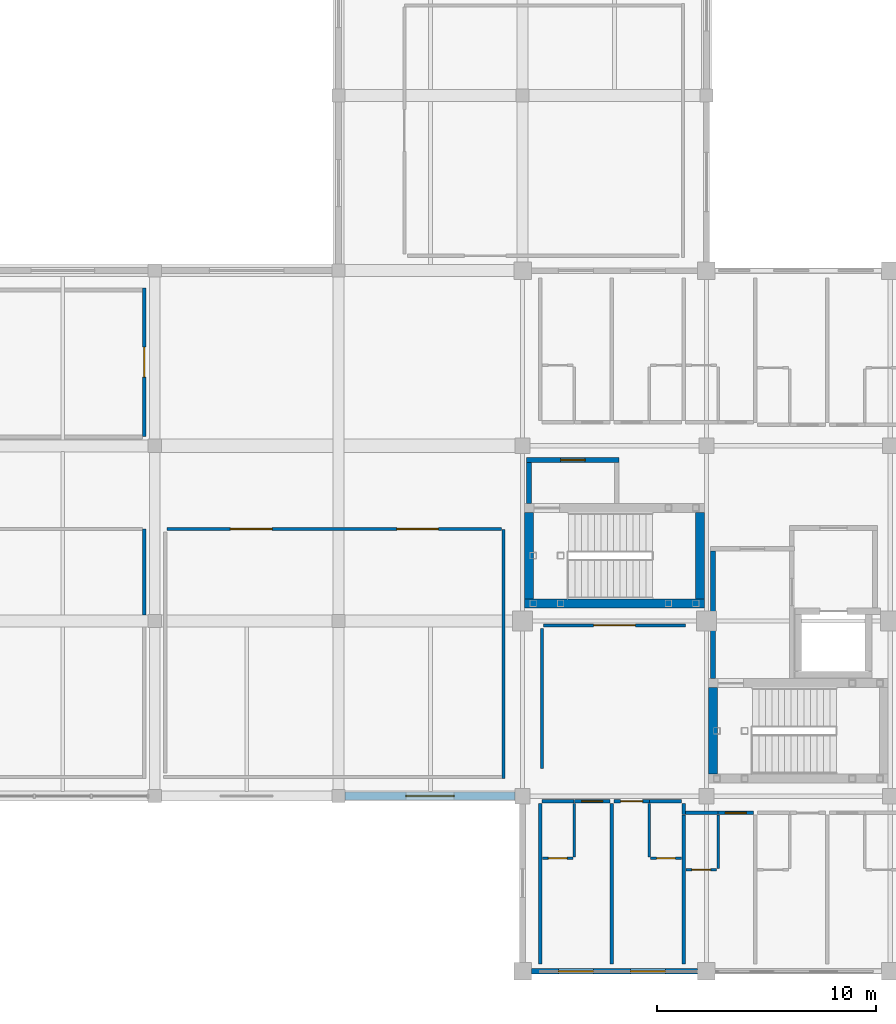
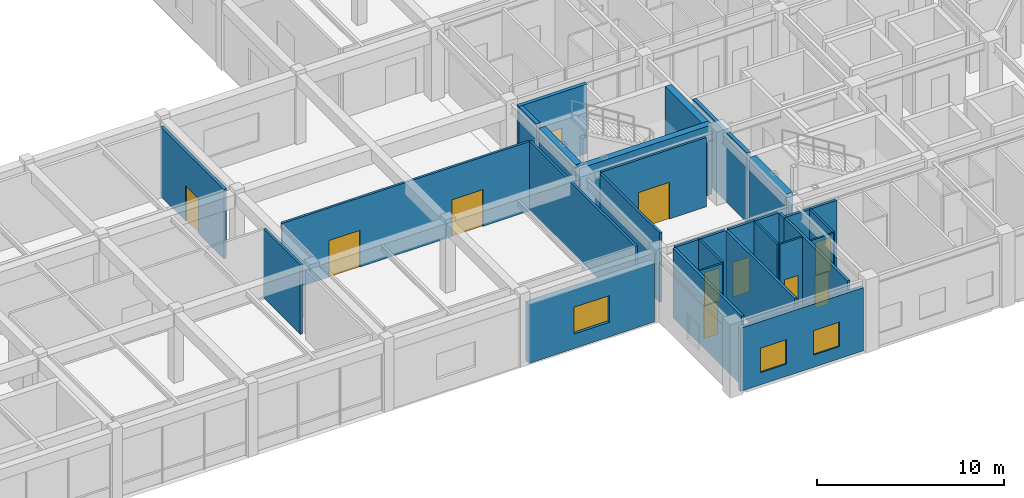
# One storey, part 21 of 37: 31 walls, 11 doors, 3 windows, 14 openings.
"""IFC4 building model written with IfcOpenShell, lengths in metres."""

import ifcopenshell
import ifcopenshell.guid

model = None  # the IFC model being written
_history = None  # IfcOwnerHistory: only IFC2X3 demands one
_inside = {}  # id of a spatial element -> (the spatial element, [elements in it])
_under = {}  # id of a project, library or spatial element -> (it, [spatial elements below it])
_declared = {}  # id of a project -> (the project, [libraries it declares])
_typed = {}  # id of a type object -> (the type object, [elements of that type])
_made_of = {}  # id of a material, layer set ... -> (it, [elements and type objects made of it])


def new_model(schema):
    """Start an empty IFC model of exactly this schema.

    Asked for "IFC4X3", IfcOpenShell would pick the latest addendum, in which some entities
    have other attributes; the version numbers below select the first issue.
    IFC2X3 requires an IfcOwnerHistory on every rooted entity: one is made here for all.
    """
    global model, _history
    if schema == "IFC4X3":
        model = ifcopenshell.file(schema_version=(4, 3, 0, 0))
    else:
        model = ifcopenshell.file(schema=schema)
    _inside.clear()
    _under.clear()
    _declared.clear()
    _typed.clear()
    _made_of.clear()
    _history = None
    if model.schema == "IFC2X3":
        org = make("IfcOrganization", Name="unknown")
        user = make(
            "IfcPersonAndOrganization",
            ThePerson=make("IfcPerson", FamilyName="unknown"),
            TheOrganization=org,
        )
        app = make(
            "IfcApplication",
            ApplicationDeveloper=org,
            Version="unknown",
            ApplicationFullName="unknown",
            ApplicationIdentifier="unknown",
        )
        _history = make(
            "IfcOwnerHistory",
            OwningUser=user,
            OwningApplication=app,
            ChangeAction="ADDED",
            CreationDate=0,
        )
    return model


def make(cls, **values):
    """One entity of the class cls with the attributes given. An attribute that is None is left unset."""
    return model.create_entity(
        cls, **{name: value for name, value in values.items() if value is not None}
    )


def rooted(cls, **values):
    """An entity with a GlobalId (a new one), such as an element, a storey or a relation."""
    return make(cls, GlobalId=ifcopenshell.guid.new(), OwnerHistory=_history, **values)


def si_unit(unit_type, name, prefix=None):
    """IfcSIUnit, for example si_unit("LENGTHUNIT", "METRE", prefix="MILLI")."""
    return make("IfcSIUnit", UnitType=unit_type, Prefix=prefix, Name=name)


def assignment(units):
    """IfcUnitAssignment: the units of a project."""
    return None if units is None else make("IfcUnitAssignment", Units=units)


def point(xyz):
    """IfcCartesianPoint."""
    return None if xyz is None else make("IfcCartesianPoint", Coordinates=xyz)


def direction(xyz):
    """IfcDirection."""
    return None if xyz is None else make("IfcDirection", DirectionRatios=xyz)


def frame(location, z_axis=None, x_axis=None):
    """IfcAxis2Placement3D, a coordinate frame: its origin and axes. An axis left out is left unset."""
    return make(
        "IfcAxis2Placement3D",
        Location=point(location),
        Axis=direction(z_axis),
        RefDirection=direction(x_axis),
    )


def frame_2d(location, x_axis=None):
    """IfcAxis2Placement2D, a coordinate frame in the plane: its origin and x axis."""
    return make(
        "IfcAxis2Placement2D", Location=point(location), RefDirection=direction(x_axis)
    )


def origin():
    """The frame at (0, 0, 0) with its axes left unset."""
    return frame((0.0, 0.0, 0.0))


def place(relative_to, where):
    """IfcLocalPlacement: puts the frame where relative to a parent placement (None: the world)."""
    return make(
        "IfcLocalPlacement", PlacementRelTo=relative_to, RelativePlacement=where
    )


def context(
    kind, dimensions, precision=None, world=None, true_north=None, identifier=None
):
    """IfcGeometricRepresentationContext, for example the 3D "Model" context."""
    return make(
        "IfcGeometricRepresentationContext",
        ContextIdentifier=identifier,
        ContextType=kind,
        CoordinateSpaceDimension=dimensions,
        Precision=precision,
        WorldCoordinateSystem=world,
        TrueNorth=true_north,
    )


def subcontext(parent, identifier, kind, view, scale=None):
    """IfcGeometricRepresentationSubContext, for example "Body" below "Model"."""
    return make(
        "IfcGeometricRepresentationSubContext",
        ContextIdentifier=identifier,
        ContextType=kind,
        ParentContext=parent,
        TargetScale=scale,
        TargetView=view,
    )


def project(units=None, contexts=None):
    """IfcProject with its units and contexts."""
    return rooted(
        "IfcProject",
        Name="project",
        RepresentationContexts=contexts,
        UnitsInContext=assignment(units),
    )


def spatial(cls, under=None, at=None, **own):
    """A site, building, storey or space (cls), placed at a placement, below another one or the project."""
    s = rooted(cls, ObjectPlacement=at, **own)
    if under is not None:
        _under.setdefault(under.id(), (under, []))[1].append(s)
    return s


def profile(cls, at=None, kind="AREA", **sizes):
    """A parametric profile (cls). Its sizes go by their IFC names, for example OverallWidth=200.0."""
    return make(cls, ProfileType=kind, Position=at, **sizes)


def rectangle(**sizes):
    """IfcRectangleProfileDef."""
    return profile("IfcRectangleProfileDef", **sizes)


def extrude(swept, where, along, depth):
    """IfcExtrudedAreaSolid: the profile swept, set in the frame where, extruded along a direction by depth."""
    return make(
        "IfcExtrudedAreaSolid",
        SweptArea=swept,
        Position=where,
        ExtrudedDirection=direction(along),
        Depth=depth,
    )


def shape(context_of_items, identifier, shape_type, items):
    """IfcShapeRepresentation: the items that make up one representation, for example the "Body"."""
    return make(
        "IfcShapeRepresentation",
        ContextOfItems=context_of_items,
        RepresentationIdentifier=identifier,
        RepresentationType=shape_type,
        Items=items,
    )


def material(Name=None, Category=None):
    """IfcMaterial."""
    return make("IfcMaterial", Name=Name, Category=Category)


def layer(
    of_material, thickness, ventilated=None, Name=None, Category=None, Priority=None
):
    """IfcMaterialLayer: one layer of a wall or slab, of a material (None: an air gap)."""
    return make(
        "IfcMaterialLayer",
        Material=of_material,
        LayerThickness=thickness,
        IsVentilated=ventilated,
        Name=Name,
        Category=Category,
        Priority=Priority,
    )


def layer_set(layers, Name=None):
    """IfcMaterialLayerSet."""
    return make("IfcMaterialLayerSet", MaterialLayers=layers, LayerSetName=Name)


def made_of(thing, what):
    """Note that an element or type object is made of a material, layer set ...; save() writes the relation."""
    if what is not None:
        _made_of.setdefault(what.id(), (what, []))[1].append(thing)
    return thing


def type_object(cls, material=None, **own):
    """A type object (cls), such as IfcWallType, which elements share."""
    return made_of(rooted(cls, **own), material)


def element(
    cls,
    number,
    at=None,
    inside=None,
    cuts=None,
    type_object=None,
    material=None,
    context=None,
    identifier="Body",
    shape_type=None,
    held_by="IfcProductDefinitionShape",
    body=None,
    shapes=None,
    **own,
):
    """One element of the class cls, such as IfcWall. Its Tag is "e" and its number.

    at: its placement. inside: the storey or other place that contains it. cuts: it is an
    opening in that element (IfcRelVoidsElement). A single representation is given by context,
    identifier, shape_type and body (its items); several are given by shapes. held_by: the class
    of the entity that holds the representations. save() writes the other relations.
    """
    e = rooted(cls, Tag="e%d" % number, ObjectPlacement=at, **own)
    if body is not None:
        shapes = [shape(context, identifier, shape_type, body)]
    if shapes is not None:
        e.Representation = make(held_by, Representations=shapes)
    if inside is not None:
        _inside.setdefault(inside.id(), (inside, []))[1].append(e)
    if cuts is not None:
        rooted(
            "IfcRelVoidsElement", RelatingBuildingElement=cuts, RelatedOpeningElement=e
        )
    if type_object is not None:
        _typed.setdefault(type_object.id(), (type_object, []))[1].append(e)
    return made_of(e, material)


def fill(opening, filler):
    """IfcRelFillsElement: the door or window that sits in an opening."""
    return rooted(
        "IfcRelFillsElement",
        RelatingOpeningElement=opening,
        RelatedBuildingElement=filler,
    )


def aggregate(whole, parts):
    """IfcRelAggregates: a whole, such as a stair, and the parts it consists of."""
    return rooted("IfcRelAggregates", RelatingObject=whole, RelatedObjects=parts)


def save(model, path):
    """Write the relations noted so far, then the file.

    IfcRelAggregates (storeys below a building ...), IfcRelContainedInSpatialStructure (elements
    in a storey), IfcRelDefinesByType, IfcRelAssociatesMaterial and IfcRelDeclares: one each for
    every whole, place, type object, material and project.
    """
    for whole, parts in _under.values():
        aggregate(whole, parts)
    for where, things in _inside.values():
        rooted(
            "IfcRelContainedInSpatialStructure",
            RelatedElements=things,
            RelatingStructure=where,
        )
    for kind, things in _typed.values():
        rooted("IfcRelDefinesByType", RelatedObjects=things, RelatingType=kind)
    for what, things in _made_of.values():
        rooted("IfcRelAssociatesMaterial", RelatedObjects=things, RelatingMaterial=what)
    for by, libraries in _declared.values():
        rooted("IfcRelDeclares", RelatingContext=by, RelatedDefinitions=libraries)
    model.write(path)


model = new_model("IFC4")

# Units and contexts
model_context = context("Model", 3, precision=1e-05, world=origin(), true_north=direction((0.0, 1.0)))
body_context = subcontext(model_context, "Body", "Model", "MODEL_VIEW")
ifc_project = project(units=[si_unit("LENGTHUNIT", "METRE"), si_unit("AREAUNIT", "SQUARE_METRE"), si_unit("VOLUMEUNIT", "CUBIC_METRE"), si_unit("PLANEANGLEUNIT", "RADIAN"), si_unit("MASSUNIT", "GRAM", prefix="KILO")], contexts=[model_context])

# Site, building, storey
site_placement = place(None, origin())
site = spatial("IfcSite", under=ifc_project, at=site_placement, CompositionType="ELEMENT")
building_placement = place(site_placement, origin())
building = spatial("IfcBuilding", under=site, at=building_placement, Name="Naruveol Harbour Congress Hotel", CompositionType="ELEMENT")
storey_placement = place(building_placement, frame((0.0, 0.0, 16.199951171875)))
storey = spatial("IfcBuildingStorey", under=building, at=storey_placement, Name="L03", CompositionType="ELEMENT", Elevation=16.199951171875)

# Wall, opening, door
ifc_material_1 = material(Name="Autoclaved Aerated Concrete Block", Category="concrete")
ifc_layer_1 = layer(ifc_material_1, 0.179931640625)
ifc_layer_set_1 = layer_set([ifc_layer_1], Name="Autoclaved Aerated Concrete Block")
wall_type_1 = type_object("IfcWallType", Name="ACOUSTIC HALL PARTITION WALL 180 EI60", PredefinedType="PARTITIONING", material=ifc_layer_set_1)
wall_1_placement = place(storey_placement, frame((100.320068359375, 24.431884765625, 0.0), z_axis=(0.0, 0.0, 1.0), x_axis=(0.0, 1.0, 0.0)))
wall_1 = element("IfcWall", 1, at=wall_1_placement, inside=storey, type_object=wall_type_1, Name="Executive Boardroom Suite east enclosure partition PW-180", PredefinedType="PARTITIONING", context=body_context, shape_type="SweptSolid", body=[
    extrude(rectangle(XDim=6.76806640625, YDim=0.179931640625, at=frame_2d((3.384033203125, 0.0))), origin(), (0.0, 0.0, 1.0), 4.53515625),
])
opening_1_placement = place(wall_1_placement, frame((2.699951171875, 0.0, 0.0)))
opening_1 = element("IfcOpeningElement", 2, at=opening_1_placement, cuts=wall_1, Name="Opening ID-BD-84B", PredefinedType="OPENING", context=body_context, shape_type="SweptSolid", body=[
    extrude(rectangle(XDim=1.3798828125, YDim=2.300048828125, at=frame_2d((0.68994140625, 1.14990234375))), frame((0.0, 0.099853515625, 0.0), z_axis=(0.0, -1.0, 0.0), x_axis=(1.0, 0.0, 0.0)), (0.0, 0.0, 1.0), 0.199951171875),
])
ifc_material_2 = material(Name="Timber & Steel Acoustic Leaf", Category="steel")
door_type_1 = type_object("IfcDoorType", Name="BOARDROOM GLAZED DOUBLE DOOR 1380X2300", OperationType="DOUBLE_DOOR_SINGLE_SWING", PredefinedType="DOOR", material=ifc_material_2)
door_1_placement = place(opening_1_placement, origin())
door_1 = element("IfcDoor", 3, at=door_1_placement, inside=storey, type_object=door_type_1, Name="Executive Boardroom Suite Second Exit Door", OperationType="DOUBLE_DOOR_SINGLE_SWING", OverallHeight=2.300048828125, OverallWidth=1.3798828125, PredefinedType="DOOR", context=body_context, shape_type="SweptSolid", body=[
    extrude(rectangle(XDim=1.3798828125, YDim=2.300048828125, at=frame_2d((0.68994140625, 1.14990234375))), frame((0.0, 0.02490234375, 0.0), z_axis=(0.0, -1.0, 0.0), x_axis=(1.0, 0.0, 0.0)), (0.0, 0.0, 1.0), 0.050048828125),
])
fill(opening_1, door_1)

# Wall, openings, doors
ifc_material_3 = material(Name="Acoustic Double Stud Gypsum", Category="gypsum")
ifc_layer_2 = layer(ifc_material_3, 0.139892578125)
ifc_layer_set_2 = layer_set([ifc_layer_2], Name="Acoustic Double Stud Gypsum")
wall_type_2 = type_object("IfcWallType", Name="ACOUSTIC MEETING PARTITION WALL 140", PredefinedType="PARTITIONING", material=ifc_layer_set_2)
wall_2_placement = place(storey_placement, frame((101.360107421875, 20.199951171875, 0.0), z_axis=(0.0, 0.0, 1.0), x_axis=(1.0, 0.0, 0.0)))
wall_2 = element("IfcWall", 4, at=wall_2_placement, inside=storey, type_object=wall_type_2, Name="Breakout Salon 301 north entry wall PW-140", PredefinedType="PARTITIONING", context=body_context, shape_type="SweptSolid", body=[
    extrude(rectangle(XDim=15.27978515625, YDim=0.139892578125, at=frame_2d((7.639892578125, 0.0))), origin(), (0.0, 0.0, 1.0), 4.53515625),
])
opening_2_placement = place(wall_2_placement, frame((2.89990234375, 0.0, 0.0)))
opening_2 = element("IfcOpeningElement", 5, at=opening_2_placement, cuts=wall_2, Name="Opening ID-LG-85", PredefinedType="OPENING", context=body_context, shape_type="SweptSolid", body=[
    extrude(rectangle(XDim=1.89990234375, YDim=2.39990234375, at=frame_2d((0.949951171875, 1.199951171875))), frame((0.0, 0.079833984375, 0.0), z_axis=(0.0, -1.0, 0.0), x_axis=(1.0, 0.0, 0.0)), (0.0, 0.0, 1.0), 0.159912109375),
])
opening_3_placement = place(wall_2_placement, frame((10.5, 0.0, 0.0)))
opening_3 = element("IfcOpeningElement", 6, at=opening_3_placement, cuts=wall_2, Name="Opening ID-LG-85B", PredefinedType="OPENING", context=body_context, shape_type="SweptSolid", body=[
    extrude(rectangle(XDim=1.89990234375, YDim=2.39990234375, at=frame_2d((0.949951171875, 1.199951171875))), frame((0.0, 0.079833984375, 0.0), z_axis=(0.0, -1.0, 0.0), x_axis=(1.0, 0.0, 0.0)), (0.0, 0.0, 1.0), 0.159912109375),
])
ifc_material_4 = material(Name="Timber & Steel Acoustic Leaf", Category="steel")
door_type_2 = type_object("IfcDoorType", Name="RESTAURANT AND LOUNGE GLAZED DOOR 1900X2400", OperationType="DOUBLE_DOOR_SINGLE_SWING", PredefinedType="DOOR", material=ifc_material_4)
door_2_placement = place(opening_2_placement, origin())
door_2 = element("IfcDoor", 7, at=door_2_placement, inside=storey, type_object=door_type_2, Name="Breakout Salon 301 Entrance Door", OperationType="DOUBLE_DOOR_SINGLE_SWING", OverallHeight=2.39990234375, OverallWidth=1.89990234375, PredefinedType="DOOR", context=body_context, shape_type="SweptSolid", body=[
    extrude(rectangle(XDim=1.89990234375, YDim=2.39990234375, at=frame_2d((0.949951171875, 1.199951171875))), frame((0.0, 0.02490234375, 0.0), z_axis=(0.0, -1.0, 0.0), x_axis=(1.0, 0.0, 0.0)), (0.0, 0.0, 1.0), 0.050048828125),
])
fill(opening_2, door_2)
door_3_placement = place(opening_3_placement, origin())
door_3 = element("IfcDoor", 8, at=door_3_placement, inside=storey, type_object=door_type_2, Name="Breakout Salon 301 Second Exit Door", OperationType="DOUBLE_DOOR_SINGLE_SWING", OverallHeight=2.39990234375, OverallWidth=1.89990234375, PredefinedType="DOOR", context=body_context, shape_type="SweptSolid", body=[
    extrude(rectangle(XDim=1.89990234375, YDim=2.39990234375, at=frame_2d((0.949951171875, 1.199951171875))), frame((0.0, 0.02490234375, 0.0), z_axis=(0.0, -1.0, 0.0), x_axis=(1.0, 0.0, 0.0)), (0.0, 0.0, 1.0), 0.050048828125),
])
fill(opening_3, door_3)

# Wall, opening, door
wall_3_placement = place(storey_placement, frame((118.56005859375, 15.800048828125, 0.0), z_axis=(0.0, 0.0, 1.0), x_axis=(1.0, 0.0, 0.0)))
wall_3 = element("IfcWall", 9, at=wall_3_placement, inside=storey, type_object=wall_type_2, Name="Club Lounge north entry wall PW-140", PredefinedType="PARTITIONING", context=body_context, shape_type="SweptSolid", body=[
    extrude(rectangle(XDim=6.47998046875, YDim=0.139892578125, at=frame_2d((3.239990234375, 0.0))), origin(), (0.0, 0.0, 1.0), 4.53515625),
])
opening_4_placement = place(wall_3_placement, frame((2.2900390625, 0.0, 0.0)))
opening_4 = element("IfcOpeningElement", 10, at=opening_4_placement, cuts=wall_3, Name="Opening ID-LG-89", PredefinedType="OPENING", context=body_context, shape_type="SweptSolid", body=[
    extrude(rectangle(XDim=1.89990234375, YDim=2.39990234375, at=frame_2d((0.949951171875, 1.199951171875))), frame((0.0, 0.079833984375, 0.0), z_axis=(0.0, -1.0, 0.0), x_axis=(1.0, 0.0, 0.0)), (0.0, 0.0, 1.0), 0.159912109375),
])
door_4_placement = place(opening_4_placement, origin())
door_4 = element("IfcDoor", 11, at=door_4_placement, inside=storey, type_object=door_type_2, Name="Club Lounge Entrance Door", OperationType="DOUBLE_DOOR_SINGLE_SWING", OverallHeight=2.39990234375, OverallWidth=1.89990234375, PredefinedType="DOOR", context=body_context, shape_type="SweptSolid", body=[
    extrude(rectangle(XDim=1.89990234375, YDim=2.39990234375, at=frame_2d((0.949951171875, 1.199951171875))), frame((0.0, 0.02490234375, 0.0), z_axis=(0.0, -1.0, 0.0), x_axis=(1.0, 0.0, 0.0)), (0.0, 0.0, 1.0), 0.050048828125),
])
fill(opening_4, door_4)

# Walls
wall_4_placement = place(storey_placement, frame((118.47998046875, 9.25, 0.0), z_axis=(0.0, 0.0, 1.0), x_axis=(0.0, 1.0, 0.0)))
element("IfcWall", 12, at=wall_4_placement, inside=storey, type_object=wall_type_2, Name="Club Lounge west partition PW-140", PredefinedType="PARTITIONING", context=body_context, shape_type="SweptSolid", body=[
    extrude(rectangle(XDim=6.409912109375, YDim=0.139892578125, at=frame_2d((3.205078125, 0.0))), origin(), (0.0, 0.0, 1.0), 4.53515625),
])
wall_5_placement = place(storey_placement, frame((100.320068359375, 16.279052734375, 0.0), z_axis=(0.0, 0.0, 1.0), x_axis=(0.0, 1.0, 0.0)))
element("IfcWall", 13, at=wall_5_placement, inside=storey, type_object=wall_type_2, Name="Breakout Salon 300 east enclosure partition PW-140", PredefinedType="PARTITIONING", context=body_context, shape_type="SweptSolid", body=[
    extrude(rectangle(XDim=3.908935546875, YDim=0.139892578125, at=frame_2d((1.95458984375, 0.0))), origin(), (0.0, 0.0, 1.0), 4.53515625),
])
wall_6_placement = place(storey_placement, frame((116.719970703125, 8.800048828125, 0.0), z_axis=(0.0, 0.0, 1.0), x_axis=(0.0, 1.0, 0.0)))
element("IfcWall", 14, at=wall_6_placement, inside=storey, type_object=wall_type_2, Name="Breakout Salon 301 east enclosure partition PW-140", PredefinedType="PARTITIONING", context=body_context, shape_type="SweptSolid", body=[
    extrude(rectangle(XDim=11.387939453125, YDim=0.139892578125, at=frame_2d((5.69384765625, 0.0))), origin(), (0.0, 0.0, 1.0), 4.53515625),
])
ifc_material_5 = material(Name="Moisture-Resistant Gypsum Partition", Category="gypsum")
ifc_layer_3 = layer(ifc_material_5, 0.114990234375)
ifc_layer_set_3 = layer_set([ifc_layer_3], Name="Moisture-Resistant Gypsum Partition")
wall_type_3 = type_object("IfcWallType", Name="BATHROOM MOISTURE PARTITION WALL 115", PredefinedType="PARTITIONING", material=ifc_layer_set_3)
wall_7_placement = place(storey_placement, frame((119.969970703125, 5.219970703125, 0.0), z_axis=(0.0, 0.0, 1.0), x_axis=(0.0, 1.0, 0.0)))
element("IfcWall", 15, at=wall_7_placement, inside=storey, type_object=wall_type_3, Name="Bathroom east wall 0437 PW-115", PredefinedType="PARTITIONING", context=body_context, shape_type="SweptSolid", body=[
    extrude(rectangle(XDim=2.449951171875, YDim=0.114990234375, at=frame_2d((1.22509765625, 0.0))), origin(), (0.0, 0.0, 1.0), 4.53515625),
])

# Wall, opening, door
wall_8_placement = place(storey_placement, frame((118.5, 5.159912109375, 0.0), z_axis=(0.0, 0.0, 1.0), x_axis=(1.0, 0.0, 0.0)))
wall_8 = element("IfcWall", 16, at=wall_8_placement, inside=storey, type_object=wall_type_3, Name="Bathroom south wall 0437 PW-115", PredefinedType="PARTITIONING", context=body_context, shape_type="SweptSolid", body=[
    extrude(rectangle(XDim=1.409912109375, YDim=0.114990234375, at=frame_2d((0.705078125, 0.0))), origin(), (0.0, 0.0, 1.0), 4.53515625),
])
opening_5_placement = place(wall_8_placement, frame((0.27490234375, 0.0, 0.0)))
opening_5 = element("IfcOpeningElement", 17, at=opening_5_placement, cuts=wall_8, Name="Opening BD-RM0437", PredefinedType="OPENING", context=body_context, shape_type="SweptSolid", body=[
    extrude(rectangle(XDim=0.860107421875, YDim=2.1201171875, at=frame_2d((0.43017578125, 1.06005859375))), frame((0.0, 0.0673828125, 0.0), z_axis=(0.0, -1.0, 0.0), x_axis=(1.0, 0.0, 0.0)), (0.0, 0.0, 1.0), 0.135009765625),
])
ifc_material_6 = material(Name="Timber & Steel Acoustic Leaf", Category="steel")
door_type_3 = type_object("IfcDoorType", Name="GUEST BATHROOM DOOR 860X2120", OperationType="NOTDEFINED", PredefinedType="DOOR", material=ifc_material_6)
door_5_placement = place(opening_5_placement, origin())
door_5 = element("IfcDoor", 18, at=door_5_placement, inside=storey, type_object=door_type_3, Name="Bathroom Door 0437", OperationType="SINGLE_SWING_RIGHT", OverallHeight=2.1201171875, OverallWidth=0.860107421875, PredefinedType="DOOR", context=body_context, shape_type="SweptSolid", body=[
    extrude(rectangle(XDim=0.860107421875, YDim=2.1201171875, at=frame_2d((0.43017578125, 1.06005859375))), frame((0.0, 0.02490234375, 0.0), z_axis=(0.0, -1.0, 0.0), x_axis=(1.0, 0.0, 0.0)), (0.0, 0.0, 1.0), 0.050048828125),
])
fill(opening_5, door_5)

# Wall
wall_9_placement = place(storey_placement, frame((123.389892578125, 5.219970703125, 0.0), z_axis=(0.0, 0.0, 1.0), x_axis=(0.0, 1.0, 0.0)))
element("IfcWall", 19, at=wall_9_placement, inside=storey, type_object=wall_type_3, Name="Bathroom west wall 0438 PW-115", PredefinedType="PARTITIONING", context=body_context, shape_type="SweptSolid", body=[
    extrude(rectangle(XDim=2.449951171875, YDim=0.114990234375, at=frame_2d((1.22509765625, 0.0))), origin(), (0.0, 0.0, 1.0), 4.53515625),
])

# Wall, opening, door
wall_10_placement = place(storey_placement, frame((123.449951171875, 5.159912109375, 0.0), z_axis=(0.0, 0.0, 1.0), x_axis=(1.0, 0.0, 0.0)))
wall_10 = element("IfcWall", 20, at=wall_10_placement, inside=storey, type_object=wall_type_3, Name="Bathroom south wall 0438 PW-115", PredefinedType="PARTITIONING", context=body_context, shape_type="SweptSolid", body=[
    extrude(rectangle(XDim=1.41015625, YDim=0.114990234375, at=frame_2d((0.705078125, 0.0))), origin(), (0.0, 0.0, 1.0), 4.53515625),
])
opening_6_placement = place(wall_10_placement, frame((0.27490234375, 0.0, 0.0)))
opening_6 = element("IfcOpeningElement", 21, at=opening_6_placement, cuts=wall_10, Name="Opening BD-RM0438", PredefinedType="OPENING", context=body_context, shape_type="SweptSolid", body=[
    extrude(rectangle(XDim=0.860107421875, YDim=2.1201171875, at=frame_2d((0.43017578125, 1.06005859375))), frame((0.0, 0.0673828125, 0.0), z_axis=(0.0, -1.0, 0.0), x_axis=(1.0, 0.0, 0.0)), (0.0, 0.0, 1.0), 0.135009765625),
])
door_6_placement = place(opening_6_placement, origin())
door_6 = element("IfcDoor", 22, at=door_6_placement, inside=storey, type_object=door_type_3, Name="Bathroom Door 0438", OperationType="SINGLE_SWING_RIGHT", OverallHeight=2.1201171875, OverallWidth=0.860107421875, PredefinedType="DOOR", context=body_context, shape_type="SweptSolid", body=[
    extrude(rectangle(XDim=0.860107421875, YDim=2.1201171875, at=frame_2d((0.43017578125, 1.06005859375))), frame((0.0, 0.02490234375, 0.0), z_axis=(0.0, -1.0, 0.0), x_axis=(1.0, 0.0, 0.0)), (0.0, 0.0, 1.0), 0.050048828125),
])
fill(opening_6, door_6)

# Wall
wall_11_placement = place(storey_placement, frame((126.530029296875, 4.68994140625, 0.0), z_axis=(0.0, 0.0, 1.0), x_axis=(0.0, 1.0, 0.0)))
element("IfcWall", 23, at=wall_11_placement, inside=storey, type_object=wall_type_3, Name="Bathroom east wall 0439 PW-115", PredefinedType="PARTITIONING", context=body_context, shape_type="SweptSolid", body=[
    extrude(rectangle(XDim=2.449951171875, YDim=0.114990234375, at=frame_2d((1.22509765625, 0.0))), origin(), (0.0, 0.0, 1.0), 4.53515625),
])

# Wall, opening, door
wall_12_placement = place(storey_placement, frame((125.06005859375, 4.6298828125, 0.0), z_axis=(0.0, 0.0, 1.0), x_axis=(1.0, 0.0, 0.0)))
wall_12 = element("IfcWall", 24, at=wall_12_placement, inside=storey, type_object=wall_type_3, Name="Bathroom south wall 0439 PW-115", PredefinedType="PARTITIONING", context=body_context, shape_type="SweptSolid", body=[
    extrude(rectangle(XDim=1.409912109375, YDim=0.114990234375, at=frame_2d((0.705078125, 0.0))), origin(), (0.0, 0.0, 1.0), 4.53515625),
])
opening_7_placement = place(wall_12_placement, frame((0.27490234375, 0.0, 0.0)))
opening_7 = element("IfcOpeningElement", 25, at=opening_7_placement, cuts=wall_12, Name="Opening BD-RM0439", PredefinedType="OPENING", context=body_context, shape_type="SweptSolid", body=[
    extrude(rectangle(XDim=0.860107421875, YDim=2.1201171875, at=frame_2d((0.43017578125, 1.06005859375))), frame((0.0, 0.0673828125, 0.0), z_axis=(0.0, -1.0, 0.0), x_axis=(1.0, 0.0, 0.0)), (0.0, 0.0, 1.0), 0.135009765625),
])
door_7_placement = place(opening_7_placement, origin())
door_7 = element("IfcDoor", 26, at=door_7_placement, inside=storey, type_object=door_type_3, Name="Bathroom Door 0439", OperationType="SINGLE_SWING_RIGHT", OverallHeight=2.1201171875, OverallWidth=0.860107421875, PredefinedType="DOOR", context=body_context, shape_type="SweptSolid", body=[
    extrude(rectangle(XDim=0.860107421875, YDim=2.1201171875, at=frame_2d((0.43017578125, 1.06005859375))), frame((0.0, 0.02490234375, 0.0), z_axis=(0.0, -1.0, 0.0), x_axis=(1.0, 0.0, 0.0)), (0.0, 0.0, 1.0), 0.050048828125),
])
fill(opening_7, door_7)

# Walls
ifc_material_7 = material(Name="Concrete C40/50", Category="concrete")
ifc_layer_4 = layer(ifc_material_7, 0.219970703125)
ifc_layer_set_4 = layer_set([ifc_layer_4], Name="Concrete C40/50")
wall_type_4 = type_object("IfcWallType", Name="FIRE COMPARTMENT AND LOBBY WALL 220 EI120", PredefinedType="PARTITIONING", material=ifc_layer_set_4)
wall_13_placement = place(storey_placement, frame((126.300048828125, 13.364990234375, 0.0), z_axis=(0.0, 0.0, 1.0), x_axis=(0.0, 1.0, 0.0)))
element("IfcWall", 27, at=wall_13_placement, inside=storey, type_object=wall_type_4, Name="Smoke vestibule ST1 west wall FW-220", PredefinedType="PARTITIONING", context=body_context, shape_type="SweptSolid", body=[
    extrude(rectangle(XDim=5.820068359375, YDim=0.219970703125, at=frame_2d((2.91015625, 0.0))), origin(), (0.0, 0.0, 1.0), 4.53515625),
])
wall_14_placement = place(storey_placement, frame((117.89990234375, 21.364990234375, 0.0), z_axis=(0.0, 0.0, 1.0), x_axis=(0.0, 1.0, 0.0)))
element("IfcWall", 28, at=wall_14_placement, inside=storey, type_object=wall_type_4, Name="Smoke vestibule ST3 west wall FW-220", PredefinedType="PARTITIONING", context=body_context, shape_type="SweptSolid", body=[
    extrude(rectangle(XDim=1.8701171875, YDim=0.219970703125, at=frame_2d((0.93505859375, 0.0))), origin(), (0.0, 0.0, 1.0), 4.53515625),
])

# Wall, opening, door
wall_15_placement = place(storey_placement, frame((117.7900390625, 23.35009765625, 0.0), z_axis=(0.0, 0.0, 1.0), x_axis=(1.0, 0.0, 0.0)))
wall_15 = element("IfcWall", 29, at=wall_15_placement, inside=storey, type_object=wall_type_4, Name="Smoke vestibule ST3 north wall FW-220", PredefinedType="PARTITIONING", context=body_context, shape_type="SweptSolid", body=[
    extrude(rectangle(XDim=4.219970703125, YDim=0.219970703125, at=frame_2d((2.10986328125, 0.0))), origin(), (0.0, 0.0, 1.0), 4.53515625),
])
opening_8_placement = place(wall_15_placement, frame((1.550048828125, 0.0, 0.0)))
opening_8 = element("IfcOpeningElement", 30, at=opening_8_placement, cuts=wall_15, Name="Opening FD-ST3-V-L03", PredefinedType="OPENING", context=body_context, shape_type="SweptSolid", body=[
    extrude(rectangle(XDim=1.1201171875, YDim=2.199951171875, at=frame_2d((0.56005859375, 1.10009765625))), frame((0.0, 0.119873046875, 0.0), z_axis=(0.0, -1.0, 0.0), x_axis=(1.0, 0.0, 0.0)), (0.0, 0.0, 1.0), 0.239990234375),
])
ifc_material_8 = material(Name="Timber & Steel Acoustic Leaf", Category="steel")
door_type_4 = type_object("IfcDoorType", Name="VESTIBULE SMOKE CONTROL FIRE DOOR 1120X2200", OperationType="NOTDEFINED", PredefinedType="DOOR", material=ifc_material_8)
door_8_placement = place(opening_8_placement, origin())
door_8 = element("IfcDoor", 31, at=door_8_placement, inside=storey, type_object=door_type_4, Name="Smoke Vestibule Entry Door ST3 L03", OperationType="SINGLE_SWING_LEFT", OverallHeight=2.199951171875, OverallWidth=1.1201171875, PredefinedType="DOOR", context=body_context, shape_type="SweptSolid", body=[
    extrude(rectangle(XDim=1.1201171875, YDim=2.199951171875, at=frame_2d((0.56005859375, 1.10009765625))), frame((0.0, 0.02490234375, 0.0), z_axis=(0.0, -1.0, 0.0), x_axis=(1.0, 0.0, 0.0)), (0.0, 0.0, 1.0), 0.050048828125),
])
fill(opening_8, door_8)

# Wall
ifc_material_9 = material(Name="Autoclaved Aerated Concrete Block", Category="concrete")
ifc_layer_5 = layer(ifc_material_9, 0.159912109375)
ifc_layer_set_5 = layer_set([ifc_layer_5], Name="Autoclaved Aerated Concrete Block")
wall_type_5 = type_object("IfcWallType", Name="HOTEL PARTY AND CORRIDOR WALL 160 EI60", PredefinedType="PARTITIONING", material=ifc_layer_set_5)
wall_16_placement = place(storey_placement, frame((118.489990234375, 7.760009765625, 0.0), z_axis=(0.0, 0.0, 1.0), x_axis=(1.0, 0.0, 0.0)))
element("IfcWall", 32, at=wall_16_placement, inside=storey, type_object=wall_type_5, Name="Corridor wall 0437B PW-160", PredefinedType="PARTITIONING", context=body_context, shape_type="SweptSolid", body=[
    extrude(rectangle(XDim=1.469970703125, YDim=0.159912109375, at=frame_2d((0.73486328125, 0.0))), origin(), (0.0, 0.0, 1.0), 4.53515625),
])

# Wall, opening, door
wall_17_placement = place(storey_placement, frame((119.969970703125, 7.760009765625, 0.0), z_axis=(0.0, 0.0, 1.0), x_axis=(1.0, 0.0, 0.0)))
wall_17 = element("IfcWall", 33, at=wall_17_placement, inside=storey, type_object=wall_type_5, Name="Corridor entry wall 0437 PW-160", PredefinedType="PARTITIONING", context=body_context, shape_type="SweptSolid", body=[
    extrude(rectangle(XDim=1.6201171875, YDim=0.159912109375, at=frame_2d((0.81005859375, 0.0))), origin(), (0.0, 0.0, 1.0), 4.53515625),
])
opening_9_placement = place(wall_17_placement, frame((0.330078125, 0.0, 0.0)))
opening_9 = element("IfcOpeningElement", 34, at=opening_9_placement, cuts=wall_17, Name="Opening FD-RM0437", PredefinedType="OPENING", context=body_context, shape_type="SweptSolid", body=[
    extrude(rectangle(XDim=0.9599609375, YDim=2.199951171875, at=frame_2d((0.47998046875, 1.10009765625))), frame((0.0, 0.08984375, 0.0), z_axis=(0.0, -1.0, 0.0), x_axis=(1.0, 0.0, 0.0)), (0.0, 0.0, 1.0), 0.179931640625),
])
ifc_material_10 = material(Name="Timber & Steel Acoustic Leaf", Category="steel")
door_type_5 = type_object("IfcDoorType", Name="GUEST ROOM ENTRANCE FIRE DOOR 960X2200", OperationType="NOTDEFINED", PredefinedType="DOOR", material=ifc_material_10)
door_9_placement = place(opening_9_placement, origin())
door_9 = element("IfcDoor", 35, at=door_9_placement, inside=storey, type_object=door_type_5, Name="Hotel Room Door 0437", OperationType="SINGLE_SWING_LEFT", OverallHeight=2.199951171875, OverallWidth=0.9599609375, PredefinedType="DOOR", context=body_context, shape_type="SweptSolid", body=[
    extrude(rectangle(XDim=0.9599609375, YDim=2.199951171875, at=frame_2d((0.47998046875, 1.10009765625))), frame((0.0, 0.02490234375, 0.0), z_axis=(0.0, -1.0, 0.0), x_axis=(1.0, 0.0, 0.0)), (0.0, 0.0, 1.0), 0.050048828125),
])
fill(opening_9, door_9)

# Wall
wall_18_placement = place(storey_placement, frame((118.39990234375, 0.340087890625, 0.0), z_axis=(0.0, 0.0, 1.0), x_axis=(0.0, 1.0, 0.0)))
element("IfcWall", 36, at=wall_18_placement, inside=storey, type_object=wall_type_5, Name="Hotel party wall 0437 PW-160", PredefinedType="PARTITIONING", context=body_context, shape_type="SweptSolid", body=[
    extrude(rectangle(XDim=7.329833984375, YDim=0.159912109375, at=frame_2d((3.6650390625, 0.0))), origin(), (0.0, 0.0, 1.0), 4.53515625),
])

# Wall, opening, door
wall_19_placement = place(storey_placement, frame((121.77001953125, 7.760009765625, 0.0), z_axis=(0.0, 0.0, 1.0), x_axis=(1.0, 0.0, 0.0)))
wall_19 = element("IfcWall", 37, at=wall_19_placement, inside=storey, type_object=wall_type_5, Name="Corridor entry wall 0438 PW-160", PredefinedType="PARTITIONING", context=body_context, shape_type="SweptSolid", body=[
    extrude(rectangle(XDim=1.619873046875, YDim=0.159912109375, at=frame_2d((0.81005859375, 0.0))), origin(), (0.0, 0.0, 1.0), 4.53515625),
])
opening_10_placement = place(wall_19_placement, frame((0.31005859375, 0.0, 0.0)))
opening_10 = element("IfcOpeningElement", 38, at=opening_10_placement, cuts=wall_19, Name="Opening FD-RM0438", PredefinedType="OPENING", context=body_context, shape_type="SweptSolid", body=[
    extrude(rectangle(XDim=1.0, YDim=2.25, at=frame_2d((0.5, 1.125))), frame((0.0, 0.08984375, 0.0), z_axis=(0.0, -1.0, 0.0), x_axis=(1.0, 0.0, 0.0)), (0.0, 0.0, 1.0), 0.179931640625),
])
ifc_material_11 = material(Name="Timber & Steel Acoustic Leaf", Category="steel")
door_type_6 = type_object("IfcDoorType", Name="DELUXE GUEST ENTRANCE FIRE DOOR 1000X2250", OperationType="NOTDEFINED", PredefinedType="DOOR", material=ifc_material_11)
door_10_placement = place(opening_10_placement, origin())
door_10 = element("IfcDoor", 39, at=door_10_placement, inside=storey, type_object=door_type_6, Name="Hotel Room Door 0438", OperationType="SINGLE_SWING_LEFT", OverallHeight=2.25, OverallWidth=1.0, PredefinedType="DOOR", context=body_context, shape_type="SweptSolid", body=[
    extrude(rectangle(XDim=1.0, YDim=2.25, at=frame_2d((0.5, 1.125))), frame((0.0, 0.02490234375, 0.0), z_axis=(0.0, -1.0, 0.0), x_axis=(1.0, 0.0, 0.0)), (0.0, 0.0, 1.0), 0.050048828125),
])
fill(opening_10, door_10)

# Walls
wall_20_placement = place(storey_placement, frame((123.39990234375, 7.760009765625, 0.0), z_axis=(0.0, 0.0, 1.0), x_axis=(1.0, 0.0, 0.0)))
element("IfcWall", 40, at=wall_20_placement, inside=storey, type_object=wall_type_5, Name="Corridor wall 0438B PW-160", PredefinedType="PARTITIONING", context=body_context, shape_type="SweptSolid", body=[
    extrude(rectangle(XDim=1.47021484375, YDim=0.159912109375, at=frame_2d((0.735107421875, 0.0))), origin(), (0.0, 0.0, 1.0), 4.53515625),
])
wall_21_placement = place(storey_placement, frame((121.679931640625, 0.340087890625, 0.0), z_axis=(0.0, 0.0, 1.0), x_axis=(0.0, 1.0, 0.0)))
element("IfcWall", 41, at=wall_21_placement, inside=storey, type_object=wall_type_5, Name="Hotel party wall 0438 PW-160", PredefinedType="PARTITIONING", context=body_context, shape_type="SweptSolid", body=[
    extrude(rectangle(XDim=7.329833984375, YDim=0.159912109375, at=frame_2d((3.6650390625, 0.0))), origin(), (0.0, 0.0, 1.0), 4.53515625),
])
wall_22_placement = place(storey_placement, frame((124.9599609375, 7.14990234375, 0.0), z_axis=(0.0, 0.0, 1.0), x_axis=(0.0, 1.0, 0.0)))
element("IfcWall", 42, at=wall_22_placement, inside=storey, type_object=wall_type_5, Name="Hotel end party wall 0438 PW-160", PredefinedType="PARTITIONING", context=body_context, shape_type="SweptSolid", body=[
    extrude(rectangle(XDim=0.52001953125, YDim=0.159912109375, at=frame_2d((0.260009765625, 0.0))), origin(), (0.0, 0.0, 1.0), 4.53515625),
])
wall_23_placement = place(storey_placement, frame((125.050048828125, 7.22998046875, 0.0), z_axis=(0.0, 0.0, 1.0), x_axis=(1.0, 0.0, 0.0)))
element("IfcWall", 43, at=wall_23_placement, inside=storey, type_object=wall_type_5, Name="Corridor wall 0439B PW-160", PredefinedType="PARTITIONING", context=body_context, shape_type="SweptSolid", body=[
    extrude(rectangle(XDim=1.469970703125, YDim=0.159912109375, at=frame_2d((0.73486328125, 0.0))), origin(), (0.0, 0.0, 1.0), 4.53515625),
])

# Wall, opening, door
wall_24_placement = place(storey_placement, frame((126.530029296875, 7.22998046875, 0.0), z_axis=(0.0, 0.0, 1.0), x_axis=(1.0, 0.0, 0.0)))
wall_24 = element("IfcWall", 44, at=wall_24_placement, inside=storey, type_object=wall_type_5, Name="Corridor entry wall 0439 PW-160", PredefinedType="PARTITIONING", context=body_context, shape_type="SweptSolid", body=[
    extrude(rectangle(XDim=1.619873046875, YDim=0.159912109375, at=frame_2d((0.81005859375, 0.0))), origin(), (0.0, 0.0, 1.0), 4.53515625),
])
opening_11_placement = place(wall_24_placement, frame((0.330078125, 0.0, 0.0)))
opening_11 = element("IfcOpeningElement", 45, at=opening_11_placement, cuts=wall_24, Name="Opening FD-RM0439", PredefinedType="OPENING", context=body_context, shape_type="SweptSolid", body=[
    extrude(rectangle(XDim=0.9599609375, YDim=2.199951171875, at=frame_2d((0.47998046875, 1.10009765625))), frame((0.0, 0.08984375, 0.0), z_axis=(0.0, -1.0, 0.0), x_axis=(1.0, 0.0, 0.0)), (0.0, 0.0, 1.0), 0.179931640625),
])
door_11_placement = place(opening_11_placement, origin())
door_11 = element("IfcDoor", 46, at=door_11_placement, inside=storey, type_object=door_type_5, Name="Hotel Room Door 0439", OperationType="SINGLE_SWING_LEFT", OverallHeight=2.199951171875, OverallWidth=0.9599609375, PredefinedType="DOOR", context=body_context, shape_type="SweptSolid", body=[
    extrude(rectangle(XDim=0.9599609375, YDim=2.199951171875, at=frame_2d((0.47998046875, 1.10009765625))), frame((0.0, 0.02490234375, 0.0), z_axis=(0.0, -1.0, 0.0), x_axis=(1.0, 0.0, 0.0)), (0.0, 0.0, 1.0), 0.050048828125),
])
fill(opening_11, door_11)

# Wall
wall_25_placement = place(storey_placement, frame((124.9599609375, 0.340087890625, 0.0), z_axis=(0.0, 0.0, 1.0), x_axis=(0.0, 1.0, 0.0)))
element("IfcWall", 47, at=wall_25_placement, inside=storey, type_object=wall_type_5, Name="Hotel party wall 0439 PW-160", PredefinedType="PARTITIONING", context=body_context, shape_type="SweptSolid", body=[
    extrude(rectangle(XDim=6.7998046875, YDim=0.159912109375, at=frame_2d((3.39990234375, 0.0))), origin(), (0.0, 0.0, 1.0), 4.53515625),
])

# Wall, opening, window
ifc_material_12 = material(Name="Concrete C40/50", Category="concrete")
ifc_layer_6 = layer(ifc_material_12, 0.3798828125)
ifc_layer_set_6 = layer_set([ifc_layer_6], Name="Concrete C40/50")
wall_type_6 = type_object("IfcWallType", Name="INSULATED GRANITE FACADE WALL 380", PredefinedType="SOLIDWALL", material=ifc_layer_set_6)
wall_26_placement = place(storey_placement, frame((117.25, 8.0, 0.0), z_axis=(0.0, 0.0, 1.0), x_axis=(-1.0, 0.0, 0.0)))
wall_26 = element("IfcWall", 48, at=wall_26_placement, inside=storey, type_object=wall_type_6, Name="Courtyard wing south facade EW-380", PredefinedType="SOLIDWALL", context=body_context, shape_type="SweptSolid", body=[
    extrude(rectangle(XDim=7.75, YDim=0.3798828125, at=frame_2d((3.875, 0.0))), origin(), (0.0, 0.0, 1.0), 3.840087890625),
])
opening_12_placement = place(wall_26_placement, frame((2.77490234375, 0.0, 0.949951171875)))
opening_12 = element("IfcOpeningElement", 49, at=opening_12_placement, cuts=wall_26, Name="Opening W-06", PredefinedType="OPENING", context=body_context, shape_type="SweptSolid", body=[
    extrude(rectangle(XDim=2.199951171875, YDim=1.75, at=frame_2d((1.10009765625, 0.875))), frame((0.0, 0.199951171875, 0.0), z_axis=(0.0, -1.0, 0.0), x_axis=(1.0, 0.0, 0.0)), (0.0, 0.0, 1.0), 0.39990234375),
])
ifc_material_13 = material(Name="Low-E Triple Glazing in Thermal Aluminium", Category="aluminium")
window_type_1 = type_object("IfcWindowType", Name="HARBOUR SUITE WINDOW 2200X1750", PartitioningType="DOUBLE_PANEL_VERTICAL", PredefinedType="WINDOW", material=ifc_material_13)
window_1_placement = place(opening_12_placement, origin())
window_1 = element("IfcWindow", 50, at=window_1_placement, inside=storey, type_object=window_type_1, Name="Window W-06 #154", OverallHeight=1.75, OverallWidth=2.199951171875, PartitioningType="DOUBLE_PANEL_VERTICAL", PredefinedType="WINDOW", context=body_context, shape_type="SweptSolid", body=[
    extrude(rectangle(XDim=2.199951171875, YDim=1.75, at=frame_2d((1.10009765625, 0.875))), frame((0.0, 0.030029296875, 0.0), z_axis=(0.0, -1.0, 0.0), x_axis=(1.0, 0.0, 0.0)), (0.0, 0.0, 1.0), 0.06005859375),
])
fill(opening_12, window_1)

# Wall, openings, windows
ifc_material_14 = material(Name="Concrete C40/50", Category="concrete")
ifc_layer_7 = layer(ifc_material_14, 0.239990234375)
ifc_layer_set_7 = layer_set([ifc_layer_7], Name="Concrete C40/50")
wall_type_7 = type_object("IfcWallType", Name="INSULATED HOTEL SPANDREL WALL 240", PredefinedType="SOLIDWALL", material=ifc_layer_set_7)
wall_27_placement = place(storey_placement, frame((125.60009765625, 0.0, 0.0), z_axis=(0.0, 0.0, 1.0), x_axis=(-1.0, 0.0, 0.0)))
wall_27 = element("IfcWall", 51, at=wall_27_placement, inside=storey, type_object=wall_type_7, Name="Hotel south waterfront wall L03 EW-240", PredefinedType="SOLIDWALL", context=body_context, shape_type="SweptSolid", body=[
    extrude(rectangle(XDim=7.60009765625, YDim=0.239990234375, at=frame_2d((3.800048828125, 0.0))), origin(), (0.0, 0.0, 1.0), 4.130126953125),
])
opening_13_placement = place(wall_27_placement, frame((1.47998046875, 0.0, 0.800048828125)))
opening_13 = element("IfcOpeningElement", 52, at=opening_13_placement, cuts=wall_27, Name="Opening W-03", PredefinedType="OPENING", context=body_context, shape_type="SweptSolid", body=[
    extrude(rectangle(XDim=1.60009765625, YDim=1.60009765625, at=frame_2d((0.800048828125, 0.800048828125))), frame((0.0, 0.1298828125, 0.0), z_axis=(0.0, -1.0, 0.0), x_axis=(1.0, 0.0, 0.0)), (0.0, 0.0, 1.0), 0.260009765625),
])
opening_14_placement = place(wall_27_placement, frame((4.760009765625, 0.0, 0.800048828125)))
opening_14 = element("IfcOpeningElement", 53, at=opening_14_placement, cuts=wall_27, Name="Opening W-03", PredefinedType="OPENING", context=body_context, shape_type="SweptSolid", body=[
    extrude(rectangle(XDim=1.60009765625, YDim=1.60009765625, at=frame_2d((0.800048828125, 0.800048828125))), frame((0.0, 0.1298828125, 0.0), z_axis=(0.0, -1.0, 0.0), x_axis=(1.0, 0.0, 0.0)), (0.0, 0.0, 1.0), 0.260009765625),
])
ifc_material_15 = material(Name="Low-E Triple Glazing in Thermal Aluminium", Category="aluminium")
window_type_2 = type_object("IfcWindowType", Name="DELUXE GUEST WINDOW 1600X1600", PartitioningType="SINGLE_PANEL", PredefinedType="WINDOW", material=ifc_material_15)
window_2_placement = place(opening_13_placement, origin())
window_2 = element("IfcWindow", 54, at=window_2_placement, inside=storey, type_object=window_type_2, Name="Window W-03 #225", OverallHeight=1.60009765625, OverallWidth=1.60009765625, PartitioningType="SINGLE_PANEL", PredefinedType="WINDOW", context=body_context, shape_type="SweptSolid", body=[
    extrude(rectangle(XDim=1.60009765625, YDim=1.60009765625, at=frame_2d((0.800048828125, 0.800048828125))), frame((0.0, 0.030029296875, 0.0), z_axis=(0.0, -1.0, 0.0), x_axis=(1.0, 0.0, 0.0)), (0.0, 0.0, 1.0), 0.06005859375),
])
fill(opening_13, window_2)
window_3_placement = place(opening_14_placement, origin())
window_3 = element("IfcWindow", 55, at=window_3_placement, inside=storey, type_object=window_type_2, Name="Window W-03 #226", OverallHeight=1.60009765625, OverallWidth=1.60009765625, PartitioningType="SINGLE_PANEL", PredefinedType="WINDOW", context=body_context, shape_type="SweptSolid", body=[
    extrude(rectangle(XDim=1.60009765625, YDim=1.60009765625, at=frame_2d((0.800048828125, 0.800048828125))), frame((0.0, 0.030029296875, 0.0), z_axis=(0.0, -1.0, 0.0), x_axis=(1.0, 0.0, 0.0)), (0.0, 0.0, 1.0), 0.06005859375),
])
fill(opening_14, window_3)

# Walls
ifc_material_16 = material(Name="Concrete C50/60", Category="concrete")
ifc_layer_8 = layer(ifc_material_16, 0.39990234375)
ifc_layer_set_8 = layer_set([ifc_layer_8], Name="Concrete C50/60")
wall_type_8 = type_object("IfcWallType", Name="RC CORE SHEAR WALL 400 EI120", PredefinedType="SHEAR", material=ifc_layer_set_8)
wall_28_placement = place(storey_placement, frame((126.300048828125, 9.0048828125, 0.0), z_axis=(0.0, 0.0, 1.0), x_axis=(0.0, 1.0, 0.0)))
element("IfcWall", 56, at=wall_28_placement, inside=storey, type_object=wall_type_8, Name="Stair ST1 west core wall CW-400", PredefinedType="SHEAR", context=body_context, shape_type="SweptSolid", body=[
    extrude(rectangle(XDim=3.9501953125, YDim=0.39990234375, at=frame_2d((1.97509765625, 0.0))), origin(), (0.0, 0.0, 1.0), 4.53515625),
])
wall_29_placement = place(storey_placement, frame((117.699951171875, 16.800048828125, 0.0), z_axis=(0.0, 0.0, 1.0), x_axis=(1.0, 0.0, 0.0)))
element("IfcWall", 57, at=wall_29_placement, inside=storey, type_object=wall_type_8, Name="Stair ST3 south core wall CW-400", PredefinedType="SHEAR", context=body_context, shape_type="SweptSolid", body=[
    extrude(rectangle(XDim=8.199951171875, YDim=0.39990234375, at=frame_2d((4.10009765625, 0.0))), origin(), (0.0, 0.0, 1.0), 4.53515625),
])
for number, where, z_axis, x_axis, name in (
    (58, (125.699951171875, 17.0048828125, 0.0), (0.0, 0.0, 1.0), (0.0, 1.0, 0.0), "Stair ST3 east core wall CW-400"),
    (59, (117.89990234375, 17.0048828125, 0.0), (0.0, 0.0, 1.0), (0.0, 1.0, 0.0), "Stair ST3 west core wall CW-400"),
):
    element("IfcWall", number, at=place(storey_placement, frame(where, z_axis=z_axis, x_axis=x_axis)), inside=storey, type_object=wall_type_8, Name=name, PredefinedType="SHEAR", context=body_context, shape_type="SweptSolid", body=[
        extrude(rectangle(XDim=3.9501953125, YDim=0.39990234375, at=frame_2d((1.97509765625, 0.0))), origin(), (0.0, 0.0, 1.0), 4.53515625),
    ])

save(model, "model.ifc")
